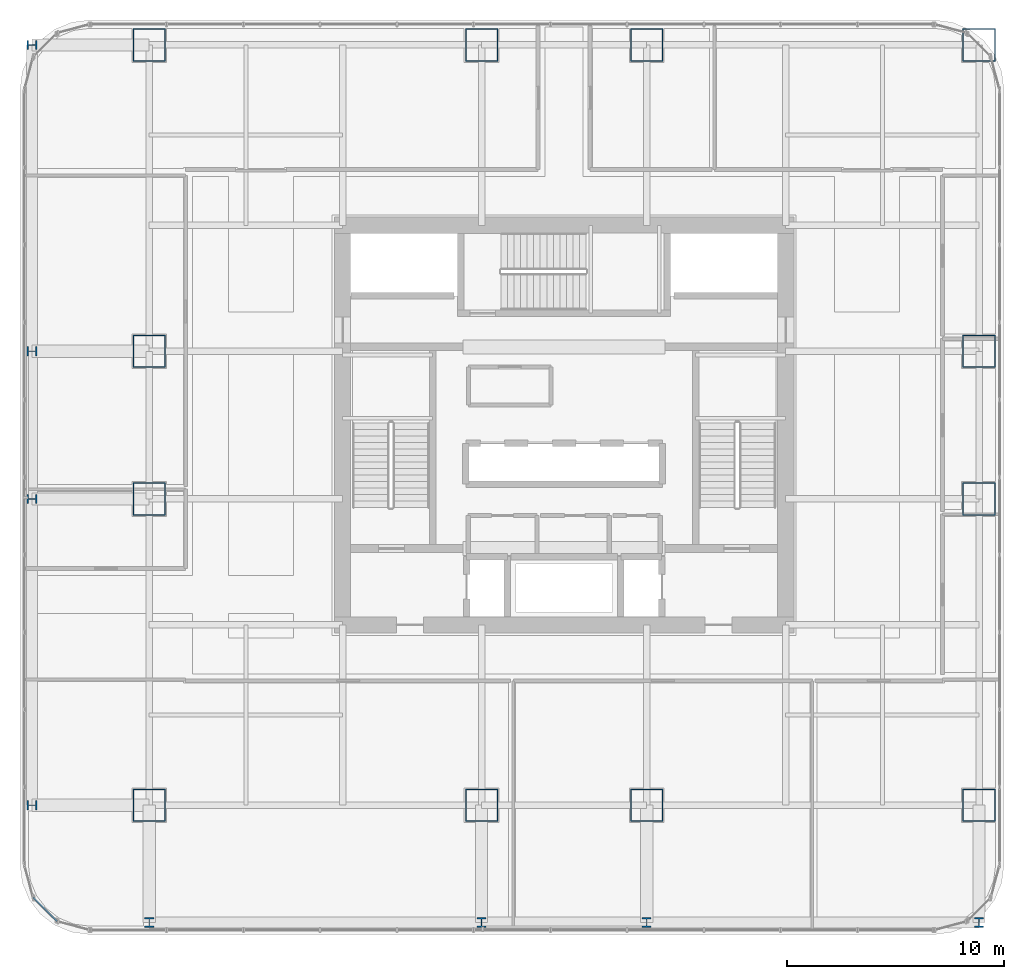
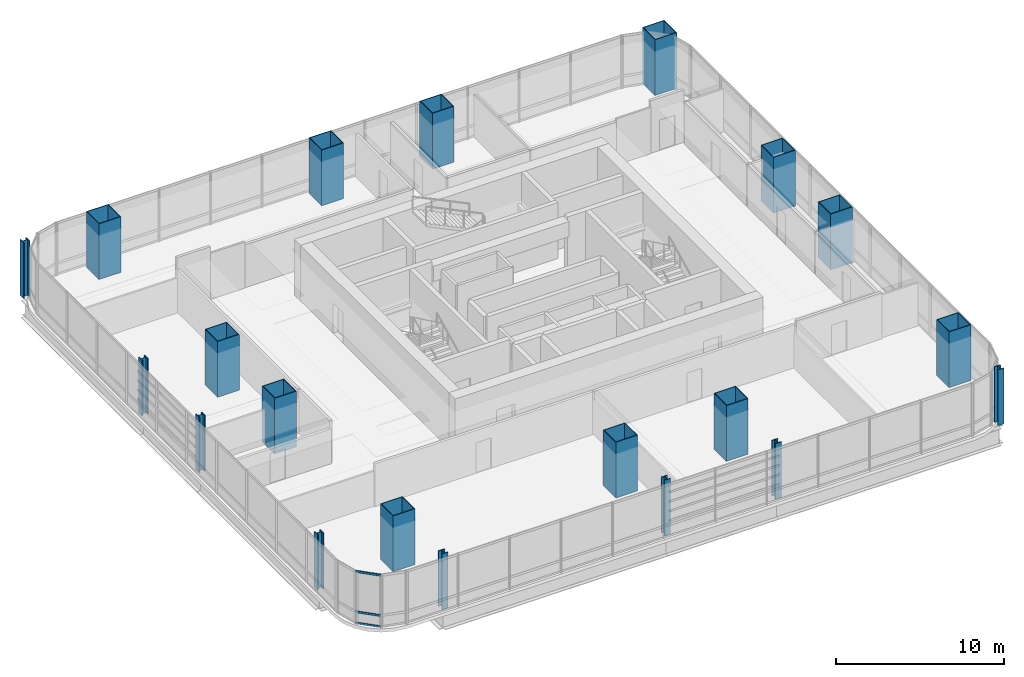
# One storey, part 1 of 36: 20 columns, 3 members, 1 element without a shape of its own.
"""IFC4 building model written with IfcOpenShell, lengths in metres."""

from ifc_helpers import new_model, si_unit, direction, frame, origin, origin_2d, place, context, subcontext, project, spatial, hollow_rectangle, i_section, extrude, material, material_profile, profile_set, type_object, element, aggregate, save


model = new_model("IFC4")

# Units and contexts
model_context = context("Model", 3, precision=1e-05, world=origin(), true_north=direction((0.0, 1.0)))
body_context = subcontext(model_context, "Body", "Model", "MODEL_VIEW")
ifc_project = project(units=[si_unit("LENGTHUNIT", "METRE"), si_unit("AREAUNIT", "SQUARE_METRE"), si_unit("VOLUMEUNIT", "CUBIC_METRE"), si_unit("PLANEANGLEUNIT", "RADIAN"), si_unit("MASSUNIT", "GRAM", prefix="KILO")], contexts=[model_context])

# Site, building, storey
site_placement = place(None, origin())
site = spatial("IfcSite", under=ifc_project, at=site_placement, CompositionType="ELEMENT")
building_placement = place(site_placement, origin())
building = spatial("IfcBuilding", under=site, at=building_placement, Name="Punatoya Terracotta Tower", CompositionType="ELEMENT")
storey_placement = place(building_placement, frame((0.0, 0.0, 36.300048828125)))
storey = spatial("IfcBuildingStorey", under=building, at=storey_placement, Name="L07", CompositionType="ELEMENT", Elevation=36.300048828125)

# Columns
ifc_material_1 = material(Name="Steel S460", Category="steel")
ifc_material_profile_1 = material_profile(ifc_material_1, i_section(OverallWidth=0.416015625, OverallDepth=0.446044921875, WebThickness=0.0390625, FlangeThickness=0.06201171875, FilletRadius=0.01806640625, at=origin_2d()))
ifc_profile_set_1 = profile_set([ifc_material_profile_1], Name="Steel S460")
column_type_1 = type_object("IfcColumnType", Name="COL-EX-M1", PredefinedType="COLUMN", material=ifc_profile_set_1)
for number, where, z_axis, x_axis, name in (
    (1, (-19.10009765625, -22.89990234375, 0.0), (0.0, 0.0, 1.0), (1.0, 0.0, 0.0), "L07 Exoskeleton Perimeter Column S1"),
    (2, (-3.800048828125, -22.89990234375, 0.0), (0.0, 0.0, 1.0), (1.0, 0.0, 0.0), "L07 Exoskeleton Perimeter Column S2"),
    (3, (3.800048828125, -22.89990234375, 0.0), (0.0, 0.0, 1.0), (1.0, 0.0, 0.0), "L07 Exoskeleton Perimeter Column S3"),
    (4, (19.10009765625, -22.89990234375, 0.0), (0.0, 0.0, 1.0), (1.0, 0.0, 0.0), "L07 Exoskeleton Perimeter Column S4"),
    (5, (-24.5, -17.5, 0.0), (0.0, 0.0, 1.0), (0.0, 1.0, 0.0), "L07 Exoskeleton Perimeter Column W1"),
    (6, (-24.5, -3.39990234375, 0.0), (0.0, 0.0, 1.0), (0.0, 1.0, 0.0), "L07 Exoskeleton Perimeter Column W2"),
    (7, (-24.5, 3.39990234375, 0.0), (0.0, 0.0, 1.0), (0.0, 1.0, 0.0), "L07 Exoskeleton Perimeter Column W3"),
    (8, (-24.5, 17.5, 0.0), (0.0, 0.0, 1.0), (0.0, 1.0, 0.0), "L07 Exoskeleton Perimeter Column W4"),
):
    element("IfcColumn", number, at=place(storey_placement, frame(where, z_axis=z_axis, x_axis=x_axis)), inside=storey, type_object=column_type_1, Name=name, PredefinedType="COLUMN", context=body_context, shape_type="SweptSolid", body=[
        extrude(i_section(OverallWidth=0.416015625, OverallDepth=0.446044921875, WebThickness=0.0390625, FlangeThickness=0.06201171875, FilletRadius=0.01806640625, at=origin_2d()), origin(), (0.0, 0.0, 1.0), 4.0478515625),
    ])
ifc_material_profile_2 = material_profile(ifc_material_1, hollow_rectangle(XDim=1.5, YDim=1.5, WallThickness=0.044921875, at=origin_2d()))
ifc_profile_set_2 = profile_set([ifc_material_profile_2], Name="Steel S460")
column_type_2 = type_object("IfcColumnType", Name="COL-MC-Z1", PredefinedType="COLUMN", material=ifc_profile_set_2)
for number, where, z_axis, x_axis, name in (
    (9, (-19.10009765625, -17.5, 0.0), (0.0, 0.0, 1.0), (1.0, 0.0, 0.0), "L07 Composite Mega-Column MC-01 (3-B)"),
    (10, (-3.800048828125, -17.5, 0.0), (0.0, 0.0, 1.0), (1.0, 0.0, 0.0), "L07 Composite Mega-Column MC-02 (5-B)"),
    (11, (3.800048828125, -17.5, 0.0), (0.0, 0.0, 1.0), (1.0, 0.0, 0.0), "L07 Composite Mega-Column MC-03 (7-B)"),
    (12, (19.10009765625, -17.5, 0.0), (0.0, 0.0, 1.0), (1.0, 0.0, 0.0), "L07 Composite Mega-Column MC-04 (9-B)"),
    (13, (19.10009765625, -3.39990234375, 0.0), (0.0, 0.0, 1.0), (1.0, 0.0, 0.0), "L07 Composite Mega-Column MC-05 (9-D)"),
    (14, (19.10009765625, 3.39990234375, 0.0), (0.0, 0.0, 1.0), (1.0, 0.0, 0.0), "L07 Composite Mega-Column MC-06 (9-E)"),
    (15, (19.10009765625, 17.5, 0.0), (0.0, 0.0, 1.0), (1.0, 0.0, 0.0), "L07 Composite Mega-Column MC-07 (9-G)"),
    (16, (3.800048828125, 17.5, 0.0), (0.0, 0.0, 1.0), (1.0, 0.0, 0.0), "L07 Composite Mega-Column MC-08 (7-G)"),
    (17, (-3.800048828125, 17.5, 0.0), (0.0, 0.0, 1.0), (1.0, 0.0, 0.0), "L07 Composite Mega-Column MC-09 (5-G)"),
    (18, (-19.10009765625, 17.5, 0.0), (0.0, 0.0, 1.0), (1.0, 0.0, 0.0), "L07 Composite Mega-Column MC-10 (3-G)"),
    (19, (-19.10009765625, 3.39990234375, 0.0), (0.0, 0.0, 1.0), (1.0, 0.0, 0.0), "L07 Composite Mega-Column MC-11 (3-E)"),
    (20, (-19.10009765625, -3.39990234375, 0.0), (0.0, 0.0, 1.0), (1.0, 0.0, 0.0), "L07 Composite Mega-Column MC-12 (3-D)"),
):
    element("IfcColumn", number, at=place(storey_placement, frame(where, z_axis=z_axis, x_axis=x_axis)), inside=storey, type_object=column_type_2, Name=name, PredefinedType="COLUMN", context=body_context, shape_type="SweptSolid", body=[
        extrude(hollow_rectangle(XDim=1.5, YDim=1.5, WallThickness=0.044921875, at=origin_2d()), origin(), (0.0, 0.0, 1.0), 4.050048828125),
    ])

# Curtain wall, members
ifc_material_2 = material(Name="Aluminium 6063-T6 + Double Low-E Glass", Category="aluminium")
curtain_wall_type = type_object("IfcCurtainWallType", Name="CW-M1", PredefinedType="NOTDEFINED", material=ifc_material_2)
curtain_wall_placement = place(storey_placement, origin())
curtain_wall = element("IfcCurtainWall", 21, at=curtain_wall_placement, inside=storey, type_object=curtain_wall_type, Name="L07 Curtain Wall CW-L07-CRN15", PredefinedType="NOTDEFINED")
ifc_material_3 = material(Name="Aluminium 6063-T6", Category="aluminium")
ifc_material_profile_3 = material_profile(ifc_material_3, hollow_rectangle(XDim=0.068115234375, YDim=0.14990234375, WallThickness=0.00390625, at=origin_2d()))
ifc_profile_set_3 = profile_set([ifc_material_profile_3], Name="Aluminium 6063-T6")
member_type = type_object("IfcMemberType", Name="CW-TRN-TYP", PredefinedType="USERDEFINED", material=ifc_profile_set_3)
member_1_placement = place(storey_placement, frame((-24.446533203125, -21.7490234375, 0.0400390625), z_axis=(0.707028130747, -0.707185422879, 0.0), x_axis=(0.707185422879, 0.707028130747, 0.0)))
member_1 = element("IfcMember", 22, at=member_1_placement, type_object=member_type, Name="CW-L07-CRN15 Transom 1", ObjectType="TRANSOM", PredefinedType="USERDEFINED", context=body_context, shape_type="SweptSolid", body=[
    extrude(hollow_rectangle(XDim=0.068115234375, YDim=0.14990234375, WallThickness=0.00390625, at=origin_2d()), origin(), (0.0, 0.0, 1.0), 1.55224609375),
])
member_2_placement = place(storey_placement, frame((-24.446533203125, -21.7490234375, 0.849853515625), z_axis=(0.707028130747, -0.707185422879, 0.0), x_axis=(0.707185422879, 0.707028130747, 0.0)))
member_2 = element("IfcMember", 23, at=member_2_placement, type_object=member_type, Name="CW-L07-CRN15 Transom 2", ObjectType="TRANSOM", PredefinedType="USERDEFINED", context=body_context, shape_type="SweptSolid", body=[
    extrude(hollow_rectangle(XDim=0.068115234375, YDim=0.14990234375, WallThickness=0.00390625, at=origin_2d()), origin(), (0.0, 0.0, 1.0), 1.55224609375),
])
member_3_placement = place(storey_placement, frame((-24.446533203125, -21.7490234375, 3.77001953125), z_axis=(0.707028130747, -0.707185422879, 0.0), x_axis=(0.707185422879, 0.707028130747, 0.0)))
member_3 = element("IfcMember", 24, at=member_3_placement, type_object=member_type, Name="CW-L07-CRN15 Transom 3", ObjectType="TRANSOM", PredefinedType="USERDEFINED", context=body_context, shape_type="SweptSolid", body=[
    extrude(hollow_rectangle(XDim=0.068115234375, YDim=0.14990234375, WallThickness=0.00390625, at=origin_2d()), origin(), (0.0, 0.0, 1.0), 1.55224609375),
])
aggregate(curtain_wall, [member_1, member_2, member_3])

save(model, "model.ifc")
